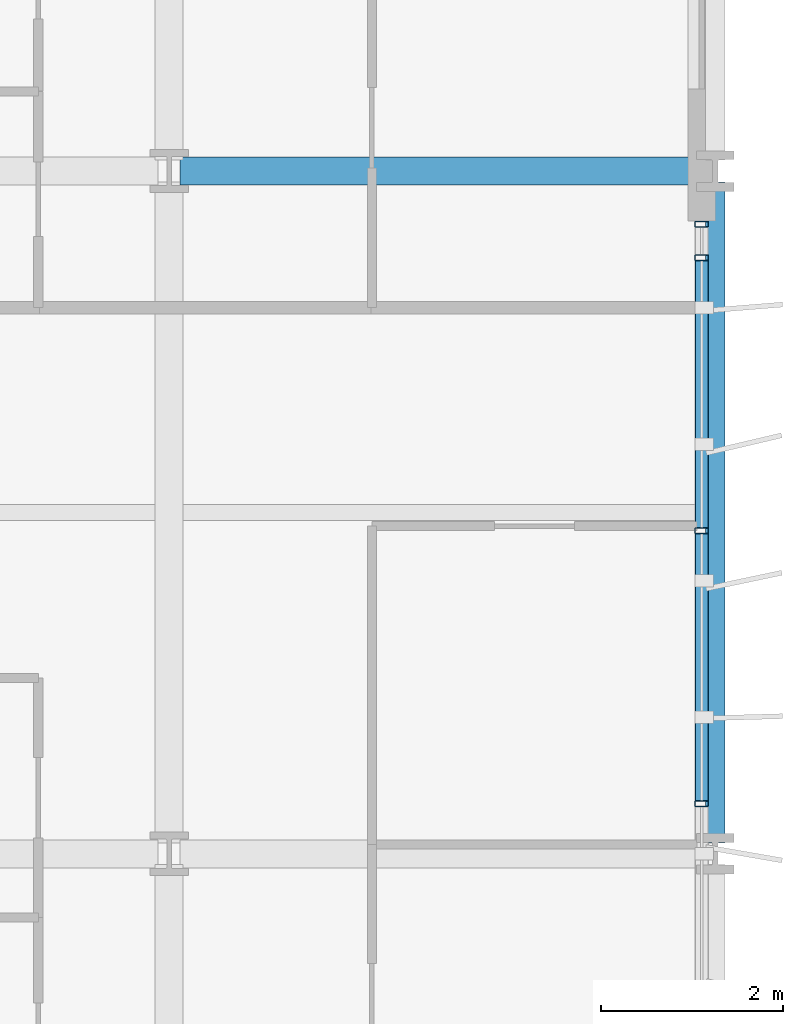
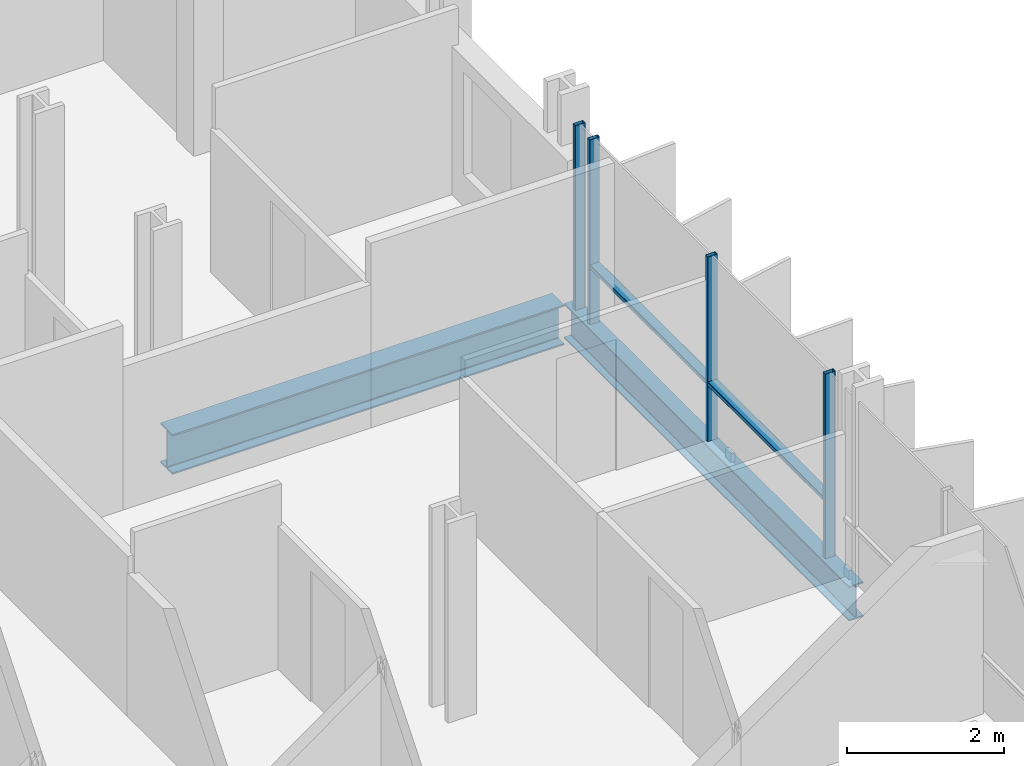
# One storey, part 19 of 38: 6 members, 2 beams, 1 element without a shape of its own.
"""IFC4 building model written with IfcOpenShell, lengths in metres."""

from ifc_helpers import new_model, si_unit, direction, frame, origin, origin_2d, place, context, subcontext, project, spatial, hollow_rectangle, i_section, extrude, material, layer, layer_set, material_profile, profile_set, type_object, element, aggregate, save


model = new_model("IFC4")

# Units and contexts
model_context = context("Model", 3, precision=1e-05, world=origin(), true_north=direction((0.0, 1.0)))
body_context = subcontext(model_context, "Body", "Model", "MODEL_VIEW")
ifc_project = project(units=[si_unit("LENGTHUNIT", "METRE"), si_unit("AREAUNIT", "SQUARE_METRE"), si_unit("VOLUMEUNIT", "CUBIC_METRE"), si_unit("PLANEANGLEUNIT", "RADIAN"), si_unit("MASSUNIT", "GRAM", prefix="KILO")], contexts=[model_context])

# Site, building, storey
site_placement = place(None, origin())
site = spatial("IfcSite", under=ifc_project, at=site_placement, CompositionType="ELEMENT")
building_placement = place(site_placement, origin())
building = spatial("IfcBuilding", under=site, at=building_placement, Name="Brevholm Reach", CompositionType="ELEMENT")
storey_placement = place(building_placement, frame((0.0, 0.0, 59.0)))
storey = spatial("IfcBuildingStorey", under=building, at=storey_placement, Name="L16", CompositionType="ELEMENT", Elevation=59.0)

# Beams
ifc_material_1 = material(Name="Structural Steel S355J2", Category="steel")
ifc_material_profile_1 = material_profile(ifc_material_1, i_section(OverallWidth=0.210693359375, OverallDepth=0.53955078125, WebThickness=0.01171875, FlangeThickness=0.018798828125, FilletRadius=0.0126953125, at=origin_2d()), Name="UKB 533x210x109")
ifc_profile_set_1 = profile_set([ifc_material_profile_1], Name="Structural Steel S355J2")
beam_type_1 = type_object("IfcBeamType", Name="BM-SP539", PredefinedType="SPANDREL", material=ifc_profile_set_1)
beam_1_placement = place(storey_placement, frame((60.0, 16.1201171875, -0.499755859375), z_axis=(0.0, 1.0, 0.0), x_axis=(-1.0, 0.0, 0.0)))
element("IfcBeam", 1, at=beam_1_placement, inside=storey, type_object=beam_type_1, Name="L16 SP-01B Framing Beam", PredefinedType="SPANDREL", context=body_context, shape_type="SweptSolid", body=[
    extrude(i_section(OverallWidth=0.210693359375, OverallDepth=0.53955078125, WebThickness=0.01171875, FlangeThickness=0.018798828125, FilletRadius=0.0126953125, at=origin_2d()), origin(), (0.0, 0.0, 1.0), 7.259765625),
])
ifc_material_2 = material(Name="Structural Steel S355J2", Category="steel")
ifc_material_profile_2 = material_profile(ifc_material_2, i_section(OverallWidth=0.30712890625, OverallDepth=0.6201171875, WebThickness=0.01416015625, FlangeThickness=0.023681640625, FilletRadius=0.0166015625, at=origin_2d()), Name="UKB 610x305x179")
ifc_profile_set_2 = profile_set([ifc_material_profile_2], Name="Structural Steel S355J2")
beam_type_2 = type_object("IfcBeamType", Name="BM-UKB610H", PredefinedType="USERDEFINED", material=ifc_profile_set_2)
beam_2_placement = place(storey_placement, frame((54.1201171875, 23.5, -0.5400390625), z_axis=(1.0, 0.0, 0.0), x_axis=(0.0, 1.0, 0.0)))
element("IfcBeam", 2, at=beam_2_placement, inside=storey, type_object=beam_type_2, Name="L16 G-06 Framing Beam", ObjectType="GIRDER", PredefinedType="USERDEFINED", context=body_context, shape_type="SweptSolid", body=[
    extrude(i_section(OverallWidth=0.30712890625, OverallDepth=0.6201171875, WebThickness=0.01416015625, FlangeThickness=0.023681640625, FilletRadius=0.0166015625, at=origin_2d()), origin(), (0.0, 0.0, 1.0), 5.759765625),
])

# Curtain wall, members
ifc_material_3 = material(Name="Dark Anodised Aluminium 6063-T6 and Solar-Control Glass", Category="aluminium")
ifc_layer = layer(ifc_material_3, 0.14990234375)
ifc_layer_set = layer_set([ifc_layer], Name="Dark Anodised Aluminium 6063-T6 and Solar-Control Glass")
curtain_wall_type = type_object("IfcCurtainWallType", Name="CW-01", PredefinedType="NOTDEFINED", material=ifc_layer_set)
curtain_wall_placement = place(storey_placement, origin())
curtain_wall = element("IfcCurtainWall", 3, at=curtain_wall_placement, inside=storey, type_object=curtain_wall_type, Name="L16 Curtain Wall CW-01", PredefinedType="NOTDEFINED")
ifc_material_4 = material(Name="Dark Anodised Aluminium 6063-T6", Category="aluminium")
ifc_material_profile_3 = material_profile(ifc_material_4, hollow_rectangle(XDim=0.06494140625, YDim=0.14990234375, WallThickness=0.0048828125, InnerFilletRadius=0.0048828125, OuterFilletRadius=0.010009765625, at=origin_2d()), Name="RHS 150x65x5")
ifc_profile_set_3 = profile_set([ifc_material_profile_3], Name="Dark Anodised Aluminium 6063-T6")
member_type_1 = type_object("IfcMemberType", Name="CWM-150", PredefinedType="MULLION", material=ifc_profile_set_3)
member_1_placement = place(storey_placement, frame((59.85009765625, 16.550048828125, 0.0), z_axis=(0.0, 0.0, 1.0), x_axis=(0.0, 1.0, 0.0)))
member_1 = element("IfcMember", 4, at=member_1_placement, type_object=member_type_1, Name="CM-150 Mullion 3", PredefinedType="MULLION", context=body_context, shape_type="SweptSolid", body=[
    extrude(hollow_rectangle(XDim=0.06494140625, YDim=0.14990234375, WallThickness=0.0048828125, InnerFilletRadius=0.0048828125, OuterFilletRadius=0.010009765625, at=origin_2d()), origin(), (0.0, 0.0, 1.0), 2.8701171875),
])
member_2_placement = place(storey_placement, frame((59.85009765625, 19.550048828125, 0.0), z_axis=(0.0, 0.0, 1.0), x_axis=(0.0, 1.0, 0.0)))
member_2 = element("IfcMember", 5, at=member_2_placement, type_object=member_type_1, Name="CM-150 Mullion 4", PredefinedType="MULLION", context=body_context, shape_type="SweptSolid", body=[
    extrude(hollow_rectangle(XDim=0.06494140625, YDim=0.14990234375, WallThickness=0.0048828125, InnerFilletRadius=0.0048828125, OuterFilletRadius=0.010009765625, at=origin_2d()), origin(), (0.0, 0.0, 1.0), 2.8701171875),
])
member_3_placement = place(storey_placement, frame((59.85009765625, 22.550048828125, 0.0), z_axis=(0.0, 0.0, 1.0), x_axis=(0.0, 1.0, 0.0)))
member_3 = element("IfcMember", 6, at=member_3_placement, type_object=member_type_1, Name="CM-150 Mullion 5", PredefinedType="MULLION", context=body_context, shape_type="SweptSolid", body=[
    extrude(hollow_rectangle(XDim=0.06494140625, YDim=0.14990234375, WallThickness=0.0048828125, InnerFilletRadius=0.0048828125, OuterFilletRadius=0.010009765625, at=origin_2d()), origin(), (0.0, 0.0, 1.0), 2.8701171875),
])
member_4_placement = place(storey_placement, frame((59.85009765625, 22.91748046875, 0.0), z_axis=(0.0, 0.0, 1.0), x_axis=(0.0, 1.0, 0.0)))
member_4 = element("IfcMember", 7, at=member_4_placement, type_object=member_type_1, Name="CM-150 Mullion 6", PredefinedType="MULLION", context=body_context, shape_type="SweptSolid", body=[
    extrude(hollow_rectangle(XDim=0.06494140625, YDim=0.14990234375, WallThickness=0.0048828125, InnerFilletRadius=0.0048828125, OuterFilletRadius=0.010009765625, at=origin_2d()), origin(), (0.0, 0.0, 1.0), 2.8701171875),
])
ifc_material_5 = material(Name="Dark Anodised Aluminium 6063-T6", Category="aluminium")
ifc_material_profile_4 = material_profile(ifc_material_5, hollow_rectangle(XDim=0.06494140625, YDim=0.14990234375, WallThickness=0.0048828125, InnerFilletRadius=0.0048828125, OuterFilletRadius=0.010009765625, at=origin_2d()), Name="RHS 150x65x5")
ifc_profile_set_4 = profile_set([ifc_material_profile_4], Name="Dark Anodised Aluminium 6063-T6")
member_type_2 = type_object("IfcMemberType", Name="CWT-150", PredefinedType="NOTDEFINED", material=ifc_profile_set_4)
member_5_placement = place(storey_placement, frame((59.85009765625, 16.58251953125, 0.89990234375), z_axis=(0.0, 1.0, 0.0), x_axis=(0.0, 0.0, 1.0)))
member_5 = element("IfcMember", 8, at=member_5_placement, type_object=member_type_2, Name="CT-150 Transom 3.1", ObjectType="TRANSOM", PredefinedType="USERDEFINED", context=body_context, shape_type="SweptSolid", body=[
    extrude(hollow_rectangle(XDim=0.06494140625, YDim=0.14990234375, WallThickness=0.0048828125, InnerFilletRadius=0.0048828125, OuterFilletRadius=0.010009765625, at=origin_2d()), origin(), (0.0, 0.0, 1.0), 2.93505859375),
])
member_6_placement = place(storey_placement, frame((59.85009765625, 19.58251953125, 0.89990234375), z_axis=(0.0, 1.0, 0.0), x_axis=(0.0, 0.0, 1.0)))
member_6 = element("IfcMember", 9, at=member_6_placement, type_object=member_type_2, Name="CT-150 Transom 4.1", ObjectType="TRANSOM", PredefinedType="USERDEFINED", context=body_context, shape_type="SweptSolid", body=[
    extrude(hollow_rectangle(XDim=0.06494140625, YDim=0.14990234375, WallThickness=0.0048828125, InnerFilletRadius=0.0048828125, OuterFilletRadius=0.010009765625, at=origin_2d()), origin(), (0.0, 0.0, 1.0), 2.93505859375),
])
aggregate(curtain_wall, [member_1, member_2, member_3, member_4, member_5, member_6])

save(model, "model.ifc")
